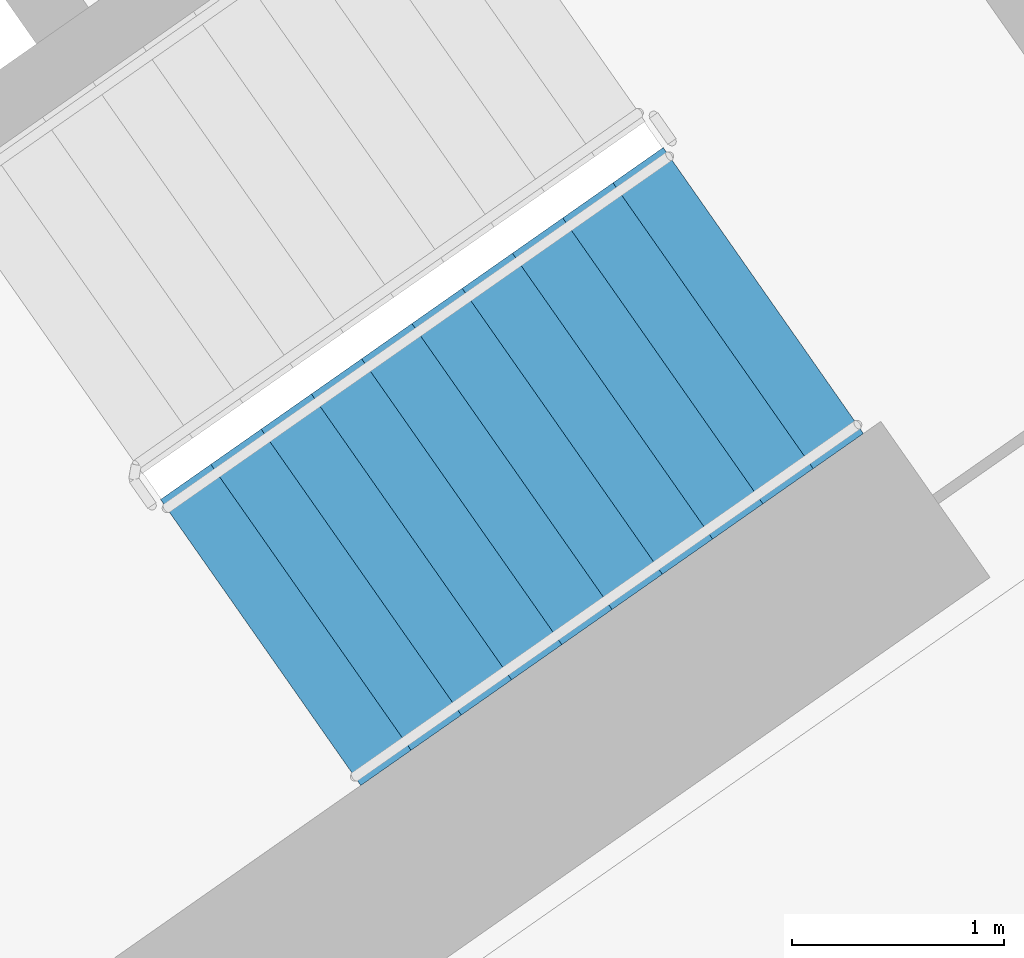
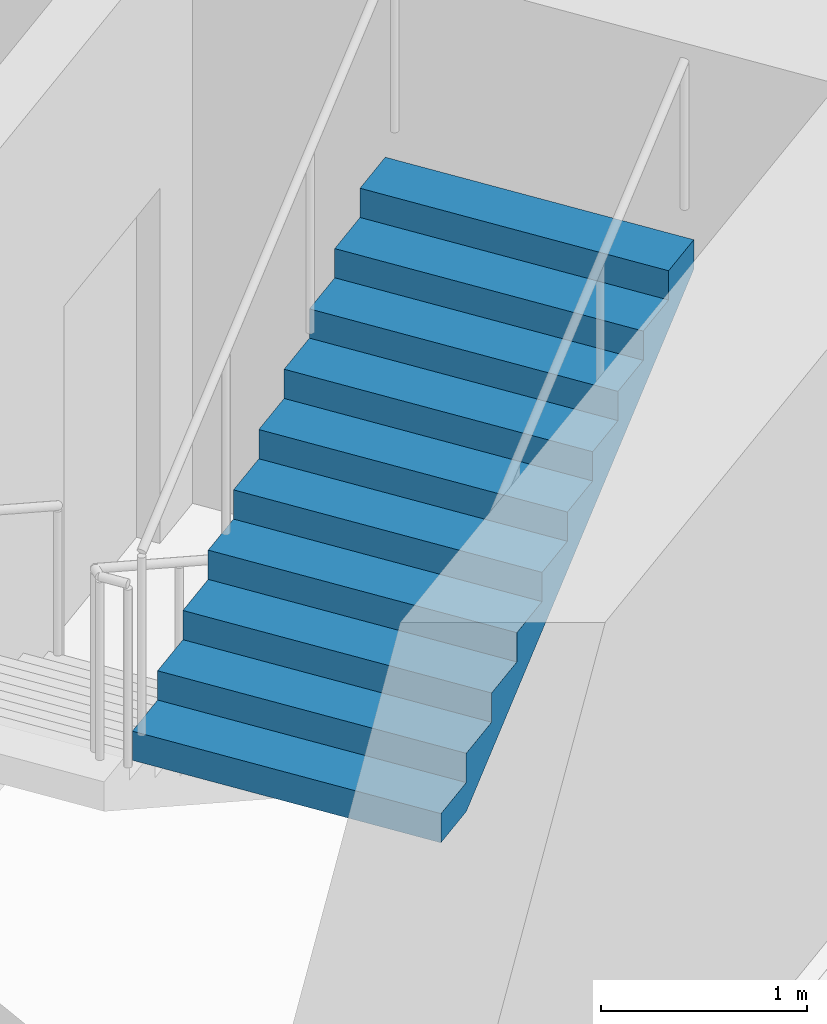
# One storey, part 16 of 30: 1 stair flight, 1 element without a shape of its own.
"""IFC4 building model written with IfcOpenShell, lengths in metres."""

from ifc_helpers import new_model, si_unit, direction, frame, origin, place, context, subcontext, project, spatial, faceted_brep, material, type_object, element, aggregate, save


model = new_model("IFC4")

# Units and contexts
model_context = context("Model", 3, precision=1e-05, world=origin(), true_north=direction((0.0, 1.0)))
body_context = subcontext(model_context, "Body", "Model", "MODEL_VIEW")
ifc_project = project(units=[si_unit("LENGTHUNIT", "METRE"), si_unit("AREAUNIT", "SQUARE_METRE"), si_unit("VOLUMEUNIT", "CUBIC_METRE"), si_unit("PLANEANGLEUNIT", "RADIAN"), si_unit("MASSUNIT", "GRAM", prefix="KILO")], contexts=[model_context])

# Site, building, storey
site_placement = place(None, origin())
site = spatial("IfcSite", under=ifc_project, at=site_placement, CompositionType="ELEMENT")
building_placement = place(site_placement, origin())
building = spatial("IfcBuilding", under=site, at=building_placement, Name="Qamariyya Broadcast Tower", CompositionType="ELEMENT")
storey_placement = place(building_placement, frame((0.0, 0.0, 102.5)))
storey = spatial("IfcBuildingStorey", under=building, at=storey_placement, Name="L22", CompositionType="ELEMENT", Elevation=102.5)

# Stair, stair flight
ifc_material = material(Name="Concrete C50/60", Category="concrete")
stair_type = type_object("IfcStairType", Name="Exit stair 22 risers of 173 mm", PredefinedType="HALF_TURN_STAIR", material=ifc_material)
stair_placement = place(storey_placement, origin())
stair = element("IfcStair", 1, at=stair_placement, inside=storey, type_object=stair_type, Name="L22 Stair E1", PredefinedType="HALF_TURN_STAIR")
stair_flight_type = type_object("IfcStairFlightType", Name="Exit stair flight 11 risers of 173 mm", PredefinedType="STRAIGHT", material=ifc_material)
stair_flight_placement = place(storey_placement, frame((44.693359375, -58.64599609375, 1.89990234375), z_axis=(0.0, 0.0, 1.0), x_axis=(0.819152044289, 0.573576436351, 0.0)))
stair_flight = element("IfcStairFlight", 2, at=stair_flight_placement, type_object=stair_flight_type, Name="ST-E1 flight 2", NumberOfRisers=11, NumberOfTreads=10, PredefinedType="STRAIGHT", RiserHeight=0.172727273, TreadLength=0.29, context=body_context, shape_type="Brep", body=[
    faceted_brep([(0.0, 0.824951171875, 0.0), (0.0, 0.824951171875, 0.172607421875), (0.2900390625, 0.824951171875, 0.172607421875), (0.2900390625, 0.824951171875, 0.345458984375), (0.580078125, 0.824951171875, 0.345458984375), (0.580078125, 0.824951171875, 0.51806640625), (0.8701171875, 0.824951171875, 0.51806640625), (0.8701171875, 0.824951171875, 0.69091796875), (1.159912109375, 0.824951171875, 0.69091796875), (1.159912109375, 0.824951171875, 0.863525390625), (1.449951171875, 0.824951171875, 0.863525390625), (1.449951171875, 0.824951171875, 1.036376953125), (1.739990234375, 0.824951171875, 1.036376953125), (1.739990234375, 0.824951171875, 1.208984375), (2.030029296875, 0.824951171875, 1.208984375), (2.030029296875, 0.824951171875, 1.3818359375), (2.320068359375, 0.824951171875, 1.3818359375), (2.320068359375, 0.824951171875, 1.554443359375), (2.610107421875, 0.824951171875, 1.554443359375), (2.610107421875, 0.824951171875, 1.727294921875), (2.89990234375, 0.824951171875, 1.727294921875), (2.89990234375, 0.824951171875, 1.552734375), (0.29296875, 0.824951171875, 0.0), (0.29296875, -0.824951171875, 0.0), (2.89990234375, -0.824951171875, 1.552734375), (2.89990234375, -0.824951171875, 1.727294921875), (2.610107421875, -0.824951171875, 1.727294921875), (2.610107421875, -0.824951171875, 1.554443359375), (2.320068359375, -0.824951171875, 1.554443359375), (2.320068359375, -0.824951171875, 1.3818359375), (2.030029296875, -0.824951171875, 1.3818359375), (2.030029296875, -0.824951171875, 1.208984375), (1.739990234375, -0.824951171875, 1.208984375), (1.739990234375, -0.824951171875, 1.036376953125), (1.449951171875, -0.824951171875, 1.036376953125), (1.449951171875, -0.824951171875, 0.863525390625), (1.159912109375, -0.824951171875, 0.863525390625), (1.159912109375, -0.824951171875, 0.69091796875), (0.8701171875, -0.824951171875, 0.69091796875), (0.8701171875, -0.824951171875, 0.51806640625), (0.580078125, -0.824951171875, 0.51806640625), (0.580078125, -0.824951171875, 0.345458984375), (0.2900390625, -0.824951171875, 0.345458984375), (0.2900390625, -0.824951171875, 0.172607421875), (0.0, -0.824951171875, 0.172607421875), (0.0, -0.824951171875, 0.0), (0.0, 0.10009765625, 0.0), (0.0, 0.086669921875, 0.0), (0.0, 0.0732421875, 0.0), (0.0, 0.06005859375, 0.0), (0.0, 0.046630859375, 0.0), (0.0, 0.033447265625, 0.0), (0.0, 0.02001953125, 0.0), (0.0, 0.006591796875, 0.0), (0.0, -0.006591796875, 0.0), (0.0, -0.02001953125, 0.0), (0.0, -0.033447265625, 0.0), (0.0, -0.046630859375, 0.0), (0.0, -0.06005859375, 0.0), (0.0, -0.0732421875, 0.0), (0.0, -0.086669921875, 0.0), (0.0, -0.10009765625, 0.0), (0.0, -0.10009765625, 0.172607421875), (0.0, -0.086669921875, 0.172607421875), (0.0, -0.0732421875, 0.172607421875), (0.0, -0.06005859375, 0.172607421875), (0.0, -0.046630859375, 0.172607421875), (0.0, -0.033447265625, 0.172607421875), (0.0, -0.02001953125, 0.172607421875), (0.0, -0.006591796875, 0.172607421875), (0.0, 0.006591796875, 0.172607421875), (0.0, 0.02001953125, 0.172607421875), (0.0, 0.033447265625, 0.172607421875), (0.0, 0.046630859375, 0.172607421875), (0.0, 0.06005859375, 0.172607421875), (0.0, 0.0732421875, 0.172607421875), (0.0, 0.086669921875, 0.172607421875), (0.0, 0.10009765625, 0.172607421875), (0.2900390625, -0.10009765625, 0.172607421875), (0.2900390625, -0.086669921875, 0.172607421875), (0.2900390625, -0.0732421875, 0.172607421875), (0.2900390625, -0.06005859375, 0.172607421875), (0.2900390625, -0.046630859375, 0.172607421875), (0.2900390625, -0.033447265625, 0.172607421875), (0.2900390625, -0.02001953125, 0.172607421875), (0.2900390625, -0.006591796875, 0.172607421875), (0.2900390625, 0.006591796875, 0.172607421875), (0.2900390625, 0.02001953125, 0.172607421875), (0.2900390625, 0.033447265625, 0.172607421875), (0.2900390625, 0.046630859375, 0.172607421875), (0.2900390625, 0.06005859375, 0.172607421875), (0.2900390625, 0.0732421875, 0.172607421875), (0.2900390625, 0.086669921875, 0.172607421875), (0.2900390625, 0.10009765625, 0.172607421875), (0.2900390625, -0.10009765625, 0.345458984375), (0.2900390625, -0.086669921875, 0.345458984375), (0.2900390625, -0.0732421875, 0.345458984375), (0.2900390625, -0.06005859375, 0.345458984375), (0.2900390625, -0.046630859375, 0.345458984375), (0.2900390625, -0.033447265625, 0.345458984375), (0.2900390625, -0.02001953125, 0.345458984375), (0.2900390625, -0.006591796875, 0.345458984375), (0.2900390625, 0.006591796875, 0.345458984375), (0.2900390625, 0.02001953125, 0.345458984375), (0.2900390625, 0.033447265625, 0.345458984375), (0.2900390625, 0.046630859375, 0.345458984375), (0.2900390625, 0.06005859375, 0.345458984375), (0.2900390625, 0.0732421875, 0.345458984375), (0.2900390625, 0.086669921875, 0.345458984375), (0.2900390625, 0.10009765625, 0.345458984375), (0.580078125, -0.10009765625, 0.345458984375), (0.580078125, -0.086669921875, 0.345458984375), (0.580078125, -0.0732421875, 0.345458984375), (0.580078125, -0.06005859375, 0.345458984375), (0.580078125, -0.046630859375, 0.345458984375), (0.580078125, -0.033447265625, 0.345458984375), (0.580078125, -0.02001953125, 0.345458984375), (0.580078125, -0.006591796875, 0.345458984375), (0.580078125, 0.006591796875, 0.345458984375), (0.580078125, 0.02001953125, 0.345458984375), (0.580078125, 0.033447265625, 0.345458984375), (0.580078125, 0.046630859375, 0.345458984375), (0.580078125, 0.06005859375, 0.345458984375), (0.580078125, 0.0732421875, 0.345458984375), (0.580078125, 0.086669921875, 0.345458984375), (0.580078125, 0.10009765625, 0.345458984375), (0.580078125, -0.10009765625, 0.51806640625), (0.580078125, -0.086669921875, 0.51806640625), (0.580078125, -0.0732421875, 0.51806640625), (0.580078125, -0.06005859375, 0.51806640625), (0.580078125, -0.046630859375, 0.51806640625), (0.580078125, -0.033447265625, 0.51806640625), (0.580078125, -0.02001953125, 0.51806640625), (0.580078125, -0.006591796875, 0.51806640625), (0.580078125, 0.006591796875, 0.51806640625), (0.580078125, 0.02001953125, 0.51806640625), (0.580078125, 0.033447265625, 0.51806640625), (0.580078125, 0.046630859375, 0.51806640625), (0.580078125, 0.06005859375, 0.51806640625), (0.580078125, 0.0732421875, 0.51806640625), (0.580078125, 0.086669921875, 0.51806640625), (0.580078125, 0.10009765625, 0.51806640625), (0.8701171875, -0.10009765625, 0.51806640625), (0.8701171875, -0.086669921875, 0.51806640625), (0.8701171875, -0.0732421875, 0.51806640625), (0.8701171875, -0.06005859375, 0.51806640625), (0.8701171875, -0.046630859375, 0.51806640625), (0.8701171875, -0.033447265625, 0.51806640625), (0.8701171875, -0.02001953125, 0.51806640625), (0.8701171875, -0.006591796875, 0.51806640625), (0.8701171875, 0.006591796875, 0.51806640625), (0.8701171875, 0.02001953125, 0.51806640625), (0.8701171875, 0.033447265625, 0.51806640625), (0.8701171875, 0.046630859375, 0.51806640625), (0.8701171875, 0.06005859375, 0.51806640625), (0.8701171875, 0.0732421875, 0.51806640625), (0.8701171875, 0.086669921875, 0.51806640625), (0.8701171875, 0.10009765625, 0.51806640625), (0.8701171875, -0.10009765625, 0.69091796875), (0.8701171875, -0.086669921875, 0.69091796875), (0.8701171875, -0.0732421875, 0.69091796875), (0.8701171875, -0.06005859375, 0.69091796875), (0.8701171875, -0.046630859375, 0.69091796875), (0.8701171875, -0.033447265625, 0.69091796875), (0.8701171875, -0.02001953125, 0.69091796875), (0.8701171875, -0.006591796875, 0.69091796875), (0.8701171875, 0.006591796875, 0.69091796875), (0.8701171875, 0.02001953125, 0.69091796875), (0.8701171875, 0.033447265625, 0.69091796875), (0.8701171875, 0.046630859375, 0.69091796875), (0.8701171875, 0.06005859375, 0.69091796875), (0.8701171875, 0.0732421875, 0.69091796875), (0.8701171875, 0.086669921875, 0.69091796875), (0.8701171875, 0.10009765625, 0.69091796875), (1.159912109375, -0.10009765625, 0.69091796875), (1.159912109375, -0.086669921875, 0.69091796875), (1.159912109375, -0.0732421875, 0.69091796875), (1.159912109375, -0.06005859375, 0.69091796875), (1.159912109375, -0.046630859375, 0.69091796875), (1.159912109375, -0.033447265625, 0.69091796875), (1.159912109375, -0.02001953125, 0.69091796875), (1.159912109375, -0.006591796875, 0.69091796875), (1.159912109375, 0.006591796875, 0.69091796875), (1.159912109375, 0.02001953125, 0.69091796875), (1.159912109375, 0.033447265625, 0.69091796875), (1.159912109375, 0.046630859375, 0.69091796875), (1.159912109375, 0.06005859375, 0.69091796875), (1.159912109375, 0.0732421875, 0.69091796875), (1.159912109375, 0.086669921875, 0.69091796875), (1.159912109375, 0.10009765625, 0.69091796875), (1.159912109375, -0.10009765625, 0.863525390625), (1.159912109375, -0.086669921875, 0.863525390625), (1.159912109375, -0.0732421875, 0.863525390625), (1.159912109375, -0.06005859375, 0.863525390625), (1.159912109375, -0.046630859375, 0.863525390625), (1.159912109375, -0.033447265625, 0.863525390625), (1.159912109375, -0.02001953125, 0.863525390625), (1.159912109375, -0.006591796875, 0.863525390625), (1.159912109375, 0.006591796875, 0.863525390625), (1.159912109375, 0.02001953125, 0.863525390625), (1.159912109375, 0.033447265625, 0.863525390625), (1.159912109375, 0.046630859375, 0.863525390625), (1.159912109375, 0.06005859375, 0.863525390625), (1.159912109375, 0.0732421875, 0.863525390625), (1.159912109375, 0.086669921875, 0.863525390625), (1.159912109375, 0.10009765625, 0.863525390625), (1.449951171875, -0.10009765625, 0.863525390625), (1.449951171875, -0.086669921875, 0.863525390625), (1.449951171875, -0.0732421875, 0.863525390625), (1.449951171875, -0.06005859375, 0.863525390625), (1.449951171875, -0.046630859375, 0.863525390625), (1.449951171875, -0.033447265625, 0.863525390625), (1.449951171875, -0.02001953125, 0.863525390625), (1.449951171875, -0.006591796875, 0.863525390625), (1.449951171875, 0.006591796875, 0.863525390625), (1.449951171875, 0.02001953125, 0.863525390625), (1.449951171875, 0.033447265625, 0.863525390625), (1.449951171875, 0.046630859375, 0.863525390625), (1.449951171875, 0.06005859375, 0.863525390625), (1.449951171875, 0.0732421875, 0.863525390625), (1.449951171875, 0.086669921875, 0.863525390625), (1.449951171875, 0.10009765625, 0.863525390625), (1.449951171875, -0.10009765625, 1.036376953125), (1.449951171875, -0.086669921875, 1.036376953125), (1.449951171875, -0.0732421875, 1.036376953125), (1.449951171875, -0.06005859375, 1.036376953125), (1.449951171875, -0.046630859375, 1.036376953125), (1.449951171875, -0.033447265625, 1.036376953125), (1.449951171875, -0.02001953125, 1.036376953125), (1.449951171875, -0.006591796875, 1.036376953125), (1.449951171875, 0.006591796875, 1.036376953125), (1.449951171875, 0.02001953125, 1.036376953125), (1.449951171875, 0.033447265625, 1.036376953125), (1.449951171875, 0.046630859375, 1.036376953125), (1.449951171875, 0.06005859375, 1.036376953125), (1.449951171875, 0.0732421875, 1.036376953125), (1.449951171875, 0.086669921875, 1.036376953125), (1.449951171875, 0.10009765625, 1.036376953125), (1.739990234375, -0.10009765625, 1.036376953125), (1.739990234375, -0.086669921875, 1.036376953125), (1.739990234375, -0.0732421875, 1.036376953125), (1.739990234375, -0.06005859375, 1.036376953125), (1.739990234375, -0.046630859375, 1.036376953125), (1.739990234375, -0.033447265625, 1.036376953125), (1.739990234375, -0.02001953125, 1.036376953125), (1.739990234375, -0.006591796875, 1.036376953125), (1.739990234375, 0.006591796875, 1.036376953125), (1.739990234375, 0.02001953125, 1.036376953125), (1.739990234375, 0.033447265625, 1.036376953125), (1.739990234375, 0.046630859375, 1.036376953125), (1.739990234375, 0.06005859375, 1.036376953125), (1.739990234375, 0.0732421875, 1.036376953125), (1.739990234375, 0.086669921875, 1.036376953125), (1.739990234375, 0.10009765625, 1.036376953125), (1.739990234375, -0.10009765625, 1.208984375), (1.739990234375, -0.086669921875, 1.208984375), (1.739990234375, -0.0732421875, 1.208984375), (1.739990234375, -0.06005859375, 1.208984375), (1.739990234375, -0.046630859375, 1.208984375), (1.739990234375, -0.033447265625, 1.208984375), (1.739990234375, -0.02001953125, 1.208984375), (1.739990234375, -0.006591796875, 1.208984375), (1.739990234375, 0.006591796875, 1.208984375), (1.739990234375, 0.02001953125, 1.208984375), (1.739990234375, 0.033447265625, 1.208984375), (1.739990234375, 0.046630859375, 1.208984375), (1.739990234375, 0.06005859375, 1.208984375), (1.739990234375, 0.0732421875, 1.208984375), (1.739990234375, 0.086669921875, 1.208984375), (1.739990234375, 0.10009765625, 1.208984375), (2.030029296875, -0.10009765625, 1.208984375), (2.030029296875, -0.086669921875, 1.208984375), (2.030029296875, -0.0732421875, 1.208984375), (2.030029296875, -0.06005859375, 1.208984375), (2.030029296875, -0.046630859375, 1.208984375), (2.030029296875, -0.033447265625, 1.208984375), (2.030029296875, -0.02001953125, 1.208984375), (2.030029296875, -0.006591796875, 1.208984375), (2.030029296875, 0.006591796875, 1.208984375), (2.030029296875, 0.02001953125, 1.208984375), (2.030029296875, 0.033447265625, 1.208984375), (2.030029296875, 0.046630859375, 1.208984375), (2.030029296875, 0.06005859375, 1.208984375), (2.030029296875, 0.0732421875, 1.208984375), (2.030029296875, 0.086669921875, 1.208984375), (2.030029296875, 0.10009765625, 1.208984375), (2.030029296875, -0.10009765625, 1.3818359375), (2.030029296875, -0.086669921875, 1.3818359375), (2.030029296875, -0.0732421875, 1.3818359375), (2.030029296875, -0.06005859375, 1.3818359375), (2.030029296875, -0.046630859375, 1.3818359375), (2.030029296875, -0.033447265625, 1.3818359375), (2.030029296875, -0.02001953125, 1.3818359375), (2.030029296875, -0.006591796875, 1.3818359375), (2.030029296875, 0.006591796875, 1.3818359375), (2.030029296875, 0.02001953125, 1.3818359375), (2.030029296875, 0.033447265625, 1.3818359375), (2.030029296875, 0.046630859375, 1.3818359375), (2.030029296875, 0.06005859375, 1.3818359375), (2.030029296875, 0.0732421875, 1.3818359375), (2.030029296875, 0.086669921875, 1.3818359375), (2.030029296875, 0.10009765625, 1.3818359375), (2.320068359375, -0.10009765625, 1.3818359375), (2.320068359375, -0.086669921875, 1.3818359375), (2.320068359375, -0.0732421875, 1.3818359375), (2.320068359375, -0.06005859375, 1.3818359375), (2.320068359375, -0.046630859375, 1.3818359375), (2.320068359375, -0.033447265625, 1.3818359375), (2.320068359375, -0.02001953125, 1.3818359375), (2.320068359375, -0.006591796875, 1.3818359375), (2.320068359375, 0.006591796875, 1.3818359375), (2.320068359375, 0.02001953125, 1.3818359375), (2.320068359375, 0.033447265625, 1.3818359375), (2.320068359375, 0.046630859375, 1.3818359375), (2.320068359375, 0.06005859375, 1.3818359375), (2.320068359375, 0.0732421875, 1.3818359375), (2.320068359375, 0.086669921875, 1.3818359375), (2.320068359375, 0.10009765625, 1.3818359375), (2.320068359375, -0.10009765625, 1.554443359375), (2.320068359375, -0.086669921875, 1.554443359375), (2.320068359375, -0.0732421875, 1.554443359375), (2.320068359375, -0.06005859375, 1.554443359375), (2.320068359375, -0.046630859375, 1.554443359375), (2.320068359375, -0.033447265625, 1.554443359375), (2.320068359375, -0.02001953125, 1.554443359375), (2.320068359375, -0.006591796875, 1.554443359375), (2.320068359375, 0.006591796875, 1.554443359375), (2.320068359375, 0.02001953125, 1.554443359375), (2.320068359375, 0.033447265625, 1.554443359375), (2.320068359375, 0.046630859375, 1.554443359375), (2.320068359375, 0.06005859375, 1.554443359375), (2.320068359375, 0.0732421875, 1.554443359375), (2.320068359375, 0.086669921875, 1.554443359375), (2.320068359375, 0.10009765625, 1.554443359375), (2.610107421875, -0.10009765625, 1.554443359375), (2.610107421875, -0.086669921875, 1.554443359375), (2.610107421875, -0.0732421875, 1.554443359375), (2.610107421875, -0.06005859375, 1.554443359375), (2.610107421875, -0.046630859375, 1.554443359375), (2.610107421875, -0.033447265625, 1.554443359375), (2.610107421875, -0.02001953125, 1.554443359375), (2.610107421875, -0.006591796875, 1.554443359375), (2.610107421875, 0.006591796875, 1.554443359375), (2.610107421875, 0.02001953125, 1.554443359375), (2.610107421875, 0.033447265625, 1.554443359375), (2.610107421875, 0.046630859375, 1.554443359375), (2.610107421875, 0.06005859375, 1.554443359375), (2.610107421875, 0.0732421875, 1.554443359375), (2.610107421875, 0.086669921875, 1.554443359375), (2.610107421875, 0.10009765625, 1.554443359375), (2.610107421875, -0.10009765625, 1.727294921875), (2.610107421875, -0.086669921875, 1.727294921875), (2.610107421875, -0.0732421875, 1.727294921875), (2.610107421875, -0.06005859375, 1.727294921875), (2.610107421875, -0.046630859375, 1.727294921875), (2.610107421875, -0.033447265625, 1.727294921875), (2.610107421875, -0.02001953125, 1.727294921875), (2.610107421875, -0.006591796875, 1.727294921875), (2.610107421875, 0.006591796875, 1.727294921875), (2.610107421875, 0.02001953125, 1.727294921875), (2.610107421875, 0.033447265625, 1.727294921875), (2.610107421875, 0.046630859375, 1.727294921875), (2.610107421875, 0.06005859375, 1.727294921875), (2.610107421875, 0.0732421875, 1.727294921875), (2.610107421875, 0.086669921875, 1.727294921875), (2.610107421875, 0.10009765625, 1.727294921875), (2.89990234375, -0.10009765625, 1.727294921875), (2.89990234375, -0.086669921875, 1.727294921875), (2.89990234375, -0.0732421875, 1.727294921875), (2.89990234375, -0.06005859375, 1.727294921875), (2.89990234375, -0.046630859375, 1.727294921875), (2.89990234375, -0.033447265625, 1.727294921875), (2.89990234375, -0.02001953125, 1.727294921875), (2.89990234375, -0.006591796875, 1.727294921875), (2.89990234375, 0.006591796875, 1.727294921875), (2.89990234375, 0.02001953125, 1.727294921875), (2.89990234375, 0.033447265625, 1.727294921875), (2.89990234375, 0.046630859375, 1.727294921875), (2.89990234375, 0.06005859375, 1.727294921875), (2.89990234375, 0.0732421875, 1.727294921875), (2.89990234375, 0.086669921875, 1.727294921875), (2.89990234375, 0.10009765625, 1.727294921875), (2.89990234375, -0.10009765625, 1.552734375), (2.89990234375, -0.086669921875, 1.552734375), (2.89990234375, -0.0732421875, 1.552734375), (2.89990234375, -0.06005859375, 1.552734375), (2.89990234375, -0.046630859375, 1.552734375), (2.89990234375, -0.033447265625, 1.552734375), (2.89990234375, -0.02001953125, 1.552734375), (2.89990234375, -0.006591796875, 1.552734375), (2.89990234375, 0.006591796875, 1.552734375), (2.89990234375, 0.02001953125, 1.552734375), (2.89990234375, 0.033447265625, 1.552734375), (2.89990234375, 0.046630859375, 1.552734375), (2.89990234375, 0.06005859375, 1.552734375), (2.89990234375, 0.0732421875, 1.552734375), (2.89990234375, 0.086669921875, 1.552734375), (2.89990234375, 0.10009765625, 1.552734375), (0.29296875, -0.10009765625, 0.0), (0.29296875, -0.086669921875, 0.0), (0.29296875, -0.0732421875, 0.0), (0.29296875, -0.06005859375, 0.0), (0.29296875, -0.046630859375, 0.0), (0.29296875, -0.033447265625, 0.0), (0.29296875, -0.02001953125, 0.0), (0.29296875, -0.006591796875, 0.0), (0.29296875, 0.006591796875, 0.0), (0.29296875, 0.02001953125, 0.0), (0.29296875, 0.033447265625, 0.0), (0.29296875, 0.046630859375, 0.0), (0.29296875, 0.06005859375, 0.0), (0.29296875, 0.0732421875, 0.0), (0.29296875, 0.086669921875, 0.0), (0.29296875, 0.10009765625, 0.0)], [[[0, 1, 2, 3, 4, 5, 6, 7, 8, 9, 10, 11, 12, 13, 14, 15, 16, 17, 18, 19, 20, 21, 22]], [[23, 24, 25, 26, 27, 28, 29, 30, 31, 32, 33, 34, 35, 36, 37, 38, 39, 40, 41, 42, 43, 44, 45]], [[0, 46, 47, 48, 49, 50, 51, 52, 53, 54, 55, 56, 57, 58, 59, 60, 61, 45, 44, 62, 63, 64, 65, 66, 67, 68, 69, 70, 71, 72, 73, 74, 75, 76, 77, 1]], [[1, 77, 76, 75, 74, 73, 72, 71, 70, 69, 68, 67, 66, 65, 64, 63, 62, 44, 43, 78, 79, 80, 81, 82, 83, 84, 85, 86, 87, 88, 89, 90, 91, 92, 93, 2]], [[2, 93, 92, 91, 90, 89, 88, 87, 86, 85, 84, 83, 82, 81, 80, 79, 78, 43, 42, 94, 95, 96, 97, 98, 99, 100, 101, 102, 103, 104, 105, 106, 107, 108, 109, 3]], [[3, 109, 108, 107, 106, 105, 104, 103, 102, 101, 100, 99, 98, 97, 96, 95, 94, 42, 41, 110, 111, 112, 113, 114, 115, 116, 117, 118, 119, 120, 121, 122, 123, 124, 125, 4]], [[4, 125, 124, 123, 122, 121, 120, 119, 118, 117, 116, 115, 114, 113, 112, 111, 110, 41, 40, 126, 127, 128, 129, 130, 131, 132, 133, 134, 135, 136, 137, 138, 139, 140, 141, 5]], [[5, 141, 140, 139, 138, 137, 136, 135, 134, 133, 132, 131, 130, 129, 128, 127, 126, 40, 39, 142, 143, 144, 145, 146, 147, 148, 149, 150, 151, 152, 153, 154, 155, 156, 157, 6]], [[6, 157, 156, 155, 154, 153, 152, 151, 150, 149, 148, 147, 146, 145, 144, 143, 142, 39, 38, 158, 159, 160, 161, 162, 163, 164, 165, 166, 167, 168, 169, 170, 171, 172, 173, 7]], [[7, 173, 172, 171, 170, 169, 168, 167, 166, 165, 164, 163, 162, 161, 160, 159, 158, 38, 37, 174, 175, 176, 177, 178, 179, 180, 181, 182, 183, 184, 185, 186, 187, 188, 189, 8]], [[8, 189, 188, 187, 186, 185, 184, 183, 182, 181, 180, 179, 178, 177, 176, 175, 174, 37, 36, 190, 191, 192, 193, 194, 195, 196, 197, 198, 199, 200, 201, 202, 203, 204, 205, 9]], [[9, 205, 204, 203, 202, 201, 200, 199, 198, 197, 196, 195, 194, 193, 192, 191, 190, 36, 35, 206, 207, 208, 209, 210, 211, 212, 213, 214, 215, 216, 217, 218, 219, 220, 221, 10]], [[10, 221, 220, 219, 218, 217, 216, 215, 214, 213, 212, 211, 210, 209, 208, 207, 206, 35, 34, 222, 223, 224, 225, 226, 227, 228, 229, 230, 231, 232, 233, 234, 235, 236, 237, 11]], [[11, 237, 236, 235, 234, 233, 232, 231, 230, 229, 228, 227, 226, 225, 224, 223, 222, 34, 33, 238, 239, 240, 241, 242, 243, 244, 245, 246, 247, 248, 249, 250, 251, 252, 253, 12]], [[12, 253, 252, 251, 250, 249, 248, 247, 246, 245, 244, 243, 242, 241, 240, 239, 238, 33, 32, 254, 255, 256, 257, 258, 259, 260, 261, 262, 263, 264, 265, 266, 267, 268, 269, 13]], [[13, 269, 268, 267, 266, 265, 264, 263, 262, 261, 260, 259, 258, 257, 256, 255, 254, 32, 31, 270, 271, 272, 273, 274, 275, 276, 277, 278, 279, 280, 281, 282, 283, 284, 285, 14]], [[14, 285, 284, 283, 282, 281, 280, 279, 278, 277, 276, 275, 274, 273, 272, 271, 270, 31, 30, 286, 287, 288, 289, 290, 291, 292, 293, 294, 295, 296, 297, 298, 299, 300, 301, 15]], [[15, 301, 300, 299, 298, 297, 296, 295, 294, 293, 292, 291, 290, 289, 288, 287, 286, 30, 29, 302, 303, 304, 305, 306, 307, 308, 309, 310, 311, 312, 313, 314, 315, 316, 317, 16]], [[16, 317, 316, 315, 314, 313, 312, 311, 310, 309, 308, 307, 306, 305, 304, 303, 302, 29, 28, 318, 319, 320, 321, 322, 323, 324, 325, 326, 327, 328, 329, 330, 331, 332, 333, 17]], [[17, 333, 332, 331, 330, 329, 328, 327, 326, 325, 324, 323, 322, 321, 320, 319, 318, 28, 27, 334, 335, 336, 337, 338, 339, 340, 341, 342, 343, 344, 345, 346, 347, 348, 349, 18]], [[18, 349, 348, 347, 346, 345, 344, 343, 342, 341, 340, 339, 338, 337, 336, 335, 334, 27, 26, 350, 351, 352, 353, 354, 355, 356, 357, 358, 359, 360, 361, 362, 363, 364, 365, 19]], [[19, 365, 364, 363, 362, 361, 360, 359, 358, 357, 356, 355, 354, 353, 352, 351, 350, 26, 25, 366, 367, 368, 369, 370, 371, 372, 373, 374, 375, 376, 377, 378, 379, 380, 381, 20]], [[20, 381, 380, 379, 378, 377, 376, 375, 374, 373, 372, 371, 370, 369, 368, 367, 366, 25, 24, 382, 383, 384, 385, 386, 387, 388, 389, 390, 391, 392, 393, 394, 395, 396, 397, 21]], [[21, 397, 396, 395, 394, 393, 392, 391, 390, 389, 388, 387, 386, 385, 384, 383, 382, 24, 23, 398, 399, 400, 401, 402, 403, 404, 405, 406, 407, 408, 409, 410, 411, 412, 413, 22]], [[22, 413, 412, 411, 410, 409, 408, 407, 406, 405, 404, 403, 402, 401, 400, 399, 398, 23, 45, 61, 60, 59, 58, 57, 56, 55, 54, 53, 52, 51, 50, 49, 48, 47, 46, 0]]]),
])
aggregate(stair, [stair_flight])

save(model, "model.ifc")
